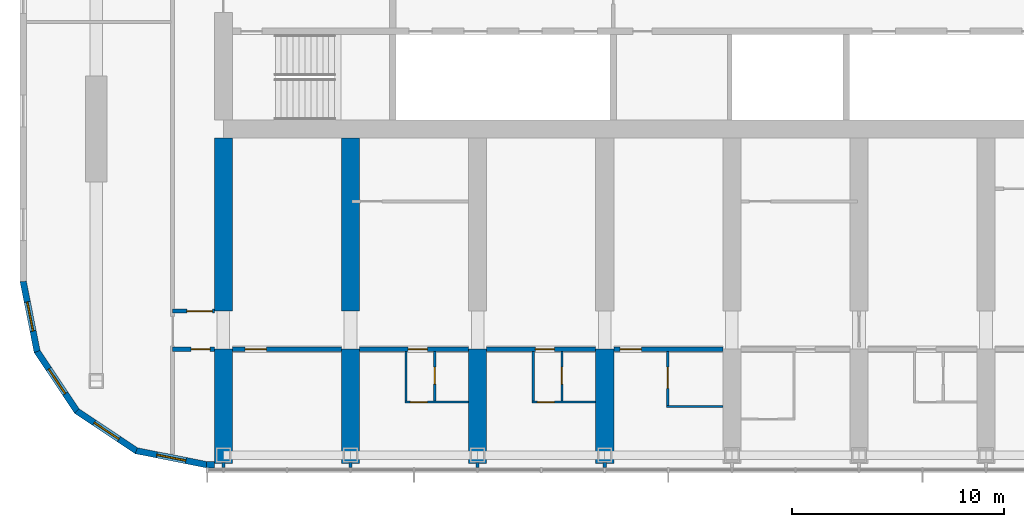
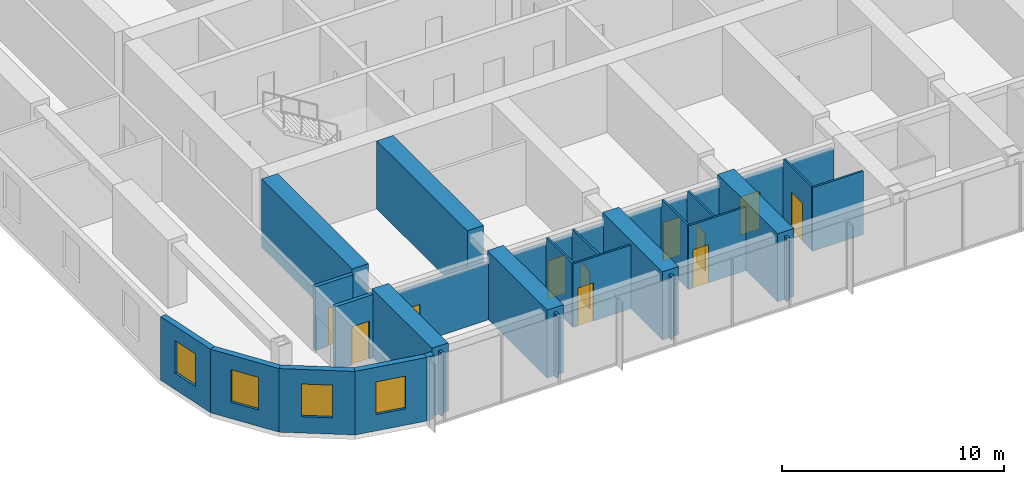
# One storey, part 10 of 22: 29 walls, 11 doors, 4 windows, 15 openings.
"""IFC4 building model written with IfcOpenShell, lengths in metres."""

from ifc_helpers import new_model, si_unit, direction, frame, frame_2d, origin, place, context, subcontext, project, spatial, polyline, rectangle, outline, extrude, material, layer, layer_set, type_object, element, fill, save


model = new_model("IFC4")

# Units and contexts
model_context = context("Model", 3, precision=1e-05, world=origin(), true_north=direction((0.0, 1.0)))
body_context = subcontext(model_context, "Body", "Model", "MODEL_VIEW")
ifc_project = project(units=[si_unit("LENGTHUNIT", "METRE"), si_unit("AREAUNIT", "SQUARE_METRE"), si_unit("VOLUMEUNIT", "CUBIC_METRE"), si_unit("PLANEANGLEUNIT", "RADIAN"), si_unit("MASSUNIT", "GRAM", prefix="KILO")], contexts=[model_context])

# Site, building, storey
site_placement = place(None, origin())
site = spatial("IfcSite", under=ifc_project, at=site_placement, CompositionType="ELEMENT")
building_placement = place(site_placement, origin())
building = spatial("IfcBuilding", under=site, at=building_placement, Name="Orbita Commons", CompositionType="ELEMENT")
storey_placement = place(building_placement, frame((0.0, 0.0, 186.10009765625)))
storey = spatial("IfcBuildingStorey", under=building, at=storey_placement, Name="L46", CompositionType="ELEMENT", Elevation=186.10009765625)

# Wall, opening, door
ifc_material_1 = material(Name="Concrete blockwork", Category="masonry")
ifc_layer_1 = layer(ifc_material_1, 0.199951171875)
ifc_layer_set_1 = layer_set([ifc_layer_1], Name="Concrete blockwork")
wall_type_1 = type_object("IfcWallType", Name="Corridor wall 200 blockwork", PredefinedType="SOLIDWALL", material=ifc_layer_set_1)
wall_1_placement = place(storey_placement, frame((15.60009765625, 15.39990234375, 0.0), z_axis=(0.0, 0.0, 1.0), x_axis=(1.0, 0.0, 0.0)))
wall_1 = element("IfcWall", 1, at=wall_1_placement, inside=storey, type_object=wall_type_1, Name="Corridor wall 200 blockwork L46", PredefinedType="SOLIDWALL", context=body_context, shape_type="SweptSolid", body=[
    extrude(rectangle(XDim=1.974853515625, YDim=0.199951171875, at=frame_2d((0.9873046875, 0.0))), origin(), (0.0, 0.0, 1.0), 3.5),
])
opening_1_placement = place(wall_1_placement, frame((0.875, 0.0, 0.0)))
opening_1 = element("IfcOpeningElement", 2, at=opening_1_placement, cuts=wall_1, Name="Opening D05", PredefinedType="OPENING", context=body_context, shape_type="SweptSolid", body=[
    extrude(rectangle(XDim=0.89990234375, YDim=2.10009765625, at=frame_2d((0.449951171875, 1.050048828125))), frame((0.0, 0.10986328125, 0.0), z_axis=(0.0, -1.0, 0.0), x_axis=(1.0, 0.0, 0.0)), (0.0, 0.0, 1.0), 0.219970703125),
])
ifc_material_2 = material(Name="Steel-faced fire door leaf", Category="steel")
door_type_1 = type_object("IfcDoorType", Name="Service door 20 min 900x2100", OperationType="SINGLE_SWING_LEFT", PredefinedType="DOOR", material=ifc_material_2)
door_1_placement = place(opening_1_placement, origin())
door_1 = element("IfcDoor", 3, at=door_1_placement, inside=storey, type_object=door_type_1, Name="Linen store L46-KWS door", OperationType="SINGLE_SWING_LEFT", OverallHeight=2.10009765625, OverallWidth=0.89990234375, PredefinedType="DOOR", context=body_context, shape_type="SweptSolid", body=[
    extrude(rectangle(XDim=0.89990234375, YDim=2.10009765625, at=frame_2d((0.449951171875, 1.050048828125))), frame((0.0, 0.02490234375, 0.0), z_axis=(0.0, -1.0, 0.0), x_axis=(1.0, 0.0, 0.0)), (0.0, 0.0, 1.0), 0.050048828125),
])
fill(opening_1, door_1)

wall_2_placement = place(storey_placement, frame((18.425048828125, 15.39990234375, 0.0), z_axis=(0.0, 0.0, 1.0), x_axis=(1.0, 0.0, 0.0)))
wall_2 = element("IfcWall", 4, at=wall_2_placement, inside=storey, type_object=wall_type_1, Name="Corridor wall 200 blockwork L46", PredefinedType="SOLIDWALL", context=body_context, shape_type="SweptSolid", body=[
    extrude(outline(polyline([(0.0, 0.0), (5.14990234375, 0.0), (5.14990234375, 3.099853515625), (0.0, 3.099853515625), (0.0, 0.0)])), frame((0.0, 0.10009765625, 0.0), z_axis=(0.0, -1.0, 0.0), x_axis=(1.0, 0.0, 0.0)), (0.0, 0.0, 1.0), 0.199951171875),
])
opening_2_placement = place(wall_2_placement, frame((0.60009765625, 0.0, 0.0)))
opening_2 = element("IfcOpeningElement", 5, at=opening_2_placement, cuts=wall_2, Name="Opening D06", PredefinedType="OPENING", context=body_context, shape_type="SweptSolid", body=[
    extrude(rectangle(XDim=1.0, YDim=2.10009765625, at=frame_2d((0.5, 1.050048828125))), frame((0.0, 0.10986328125, 0.0), z_axis=(0.0, -1.0, 0.0), x_axis=(1.0, 0.0, 0.0)), (0.0, 0.0, 1.0), 0.219970703125),
])
ifc_material_3 = material(Name="Steel-faced fire door leaf", Category="steel")
door_type_2 = type_object("IfcDoorType", Name="Corridor door 20 min 1000x2100", OperationType="SINGLE_SWING_LEFT", PredefinedType="DOOR", material=ifc_material_3)
door_2_placement = place(opening_2_placement, origin())
door_2 = element("IfcDoor", 6, at=door_2_placement, inside=storey, type_object=door_type_2, Name="Mountain-view lounge L46-S00 door", OperationType="SINGLE_SWING_LEFT", OverallHeight=2.10009765625, OverallWidth=1.0, PredefinedType="DOOR", context=body_context, shape_type="SweptSolid", body=[
    extrude(rectangle(XDim=1.0, YDim=2.10009765625, at=frame_2d((0.5, 1.050048828125))), frame((0.0, 0.02490234375, 0.0), z_axis=(0.0, -1.0, 0.0), x_axis=(1.0, 0.0, 0.0)), (0.0, 0.0, 1.0), 0.050048828125),
])
fill(opening_2, door_2)

wall_3_placement = place(storey_placement, frame((24.425048828125, 15.39990234375, 0.0), z_axis=(0.0, 0.0, 1.0), x_axis=(1.0, 0.0, 0.0)))
wall_3 = element("IfcWall", 7, at=wall_3_placement, inside=storey, type_object=wall_type_1, Name="Corridor wall 200 blockwork L46", PredefinedType="SOLIDWALL", context=body_context, shape_type="SweptSolid", body=[
    extrude(outline(polyline([(0.0, 0.0), (5.14990234375, 0.0), (5.14990234375, 3.099853515625), (0.0, 3.099853515625), (0.0, 0.0)])), frame((0.0, 0.10009765625, 0.0), z_axis=(0.0, -1.0, 0.0), x_axis=(1.0, 0.0, 0.0)), (0.0, 0.0, 1.0), 0.199951171875),
])
opening_3_placement = place(wall_3_placement, frame((2.300048828125, 0.0, 0.0)))
opening_3 = element("IfcOpeningElement", 8, at=opening_3_placement, cuts=wall_3, Name="Opening D11", PredefinedType="OPENING", context=body_context, shape_type="SweptSolid", body=[
    extrude(rectangle(XDim=0.89990234375, YDim=2.10009765625, at=frame_2d((0.449951171875, 1.050048828125))), frame((0.0, 0.10986328125, 0.0), z_axis=(0.0, -1.0, 0.0), x_axis=(1.0, 0.0, 0.0)), (0.0, 0.0, 1.0), 0.219970703125),
])
ifc_material_4 = material(Name="Steel-faced fire door leaf", Category="steel")
door_type_3 = type_object("IfcDoorType", Name="Corridor door 20 min 900x2100", OperationType="SINGLE_SWING_LEFT", PredefinedType="DOOR", material=ifc_material_4)
door_3_placement = place(opening_3_placement, origin())
door_3 = element("IfcDoor", 9, at=door_3_placement, inside=storey, type_object=door_type_3, Name="Studio flat L46-S02 entrance door", OperationType="SINGLE_SWING_LEFT", OverallHeight=2.10009765625, OverallWidth=0.89990234375, PredefinedType="DOOR", context=body_context, shape_type="SweptSolid", body=[
    extrude(rectangle(XDim=0.89990234375, YDim=2.10009765625, at=frame_2d((0.449951171875, 1.050048828125))), frame((0.0, 0.02490234375, 0.0), z_axis=(0.0, -1.0, 0.0), x_axis=(1.0, 0.0, 0.0)), (0.0, 0.0, 1.0), 0.050048828125),
])
fill(opening_3, door_3)

wall_4_placement = place(storey_placement, frame((30.425048828125, 15.39990234375, 0.0), z_axis=(0.0, 0.0, 1.0), x_axis=(1.0, 0.0, 0.0)))
wall_4 = element("IfcWall", 10, at=wall_4_placement, inside=storey, type_object=wall_type_1, Name="Corridor wall 200 blockwork L46", PredefinedType="SOLIDWALL", context=body_context, shape_type="SweptSolid", body=[
    extrude(outline(polyline([(0.0, 0.0), (5.14990234375, 0.0), (5.14990234375, 3.099853515625), (0.0, 3.099853515625), (0.0, 0.0)])), frame((0.0, 0.10009765625, 0.0), z_axis=(0.0, -1.0, 0.0), x_axis=(1.0, 0.0, 0.0)), (0.0, 0.0, 1.0), 0.199951171875),
])
opening_4_placement = place(wall_4_placement, frame((2.300048828125, 0.0, 0.0)))
opening_4 = element("IfcOpeningElement", 11, at=opening_4_placement, cuts=wall_4, Name="Opening D11", PredefinedType="OPENING", context=body_context, shape_type="SweptSolid", body=[
    extrude(rectangle(XDim=0.89990234375, YDim=2.10009765625, at=frame_2d((0.449951171875, 1.050048828125))), frame((0.0, 0.10986328125, 0.0), z_axis=(0.0, -1.0, 0.0), x_axis=(1.0, 0.0, 0.0)), (0.0, 0.0, 1.0), 0.219970703125),
])
door_4_placement = place(opening_4_placement, origin())
door_4 = element("IfcDoor", 12, at=door_4_placement, inside=storey, type_object=door_type_3, Name="Studio flat L46-S04 entrance door", OperationType="SINGLE_SWING_LEFT", OverallHeight=2.10009765625, OverallWidth=0.89990234375, PredefinedType="DOOR", context=body_context, shape_type="SweptSolid", body=[
    extrude(rectangle(XDim=0.89990234375, YDim=2.10009765625, at=frame_2d((0.449951171875, 1.050048828125))), frame((0.0, 0.02490234375, 0.0), z_axis=(0.0, -1.0, 0.0), x_axis=(1.0, 0.0, 0.0)), (0.0, 0.0, 1.0), 0.050048828125),
])
fill(opening_4, door_4)

wall_5_placement = place(storey_placement, frame((36.425048828125, 15.39990234375, 0.0), z_axis=(0.0, 0.0, 1.0), x_axis=(1.0, 0.0, 0.0)))
wall_5 = element("IfcWall", 13, at=wall_5_placement, inside=storey, type_object=wall_type_1, Name="Corridor wall 200 blockwork L46", PredefinedType="SOLIDWALL", context=body_context, shape_type="SweptSolid", body=[
    extrude(outline(polyline([(0.0, 0.0), (5.14990234375, 0.0), (5.14990234375, 3.099853515625), (0.0, 3.099853515625), (0.0, 0.0)])), frame((0.0, 0.10009765625, 0.0), z_axis=(0.0, -1.0, 0.0), x_axis=(1.0, 0.0, 0.0)), (0.0, 0.0, 1.0), 0.199951171875),
])
opening_5_placement = place(wall_5_placement, frame((0.300048828125, 0.0, 0.0)))
opening_5 = element("IfcOpeningElement", 14, at=opening_5_placement, cuts=wall_5, Name="Opening D06", PredefinedType="OPENING", context=body_context, shape_type="SweptSolid", body=[
    extrude(rectangle(XDim=1.0, YDim=2.10009765625, at=frame_2d((0.5, 1.050048828125))), frame((0.0, 0.10986328125, 0.0), z_axis=(0.0, -1.0, 0.0), x_axis=(1.0, 0.0, 0.0)), (0.0, 0.0, 1.0), 0.219970703125),
])
door_5_placement = place(opening_5_placement, origin())
door_5 = element("IfcDoor", 15, at=door_5_placement, inside=storey, type_object=door_type_2, Name="Accessible bedroom L46-S06 door", OperationType="SINGLE_SWING_LEFT", OverallHeight=2.10009765625, OverallWidth=1.0, PredefinedType="DOOR", context=body_context, shape_type="SweptSolid", body=[
    extrude(rectangle(XDim=1.0, YDim=2.10009765625, at=frame_2d((0.5, 1.050048828125))), frame((0.0, 0.02490234375, 0.0), z_axis=(0.0, -1.0, 0.0), x_axis=(1.0, 0.0, 0.0)), (0.0, 0.0, 1.0), 0.050048828125),
])
fill(opening_5, door_5)

ifc_material_5 = material(Name="Hollow concrete block 200", Category="concrete")
ifc_layer_2 = layer(ifc_material_5, 0.199951171875)
ifc_layer_set_2 = layer_set([ifc_layer_2], Name="Hollow concrete block 200")
wall_type_2 = type_object("IfcWallType", Name="Corridor wall 200 hollow concrete block", PredefinedType="SOLIDWALL", material=ifc_layer_set_2)
wall_6_placement = place(storey_placement, frame((15.60009765625, 17.199951171875, 0.0), z_axis=(0.0, 0.0, 1.0), x_axis=(1.0, 0.0, 0.0)))
wall_6 = element("IfcWall", 16, at=wall_6_placement, inside=storey, type_object=wall_type_2, Name="Corridor wall 200 hollow concrete block L46", PredefinedType="SOLIDWALL", context=body_context, shape_type="SweptSolid", body=[
    extrude(rectangle(XDim=1.974853515625, YDim=0.199951171875, at=frame_2d((0.9873046875, 0.0))), origin(), (0.0, 0.0, 1.0), 3.5),
])
opening_6_placement = place(wall_6_placement, frame((0.675048828125, 0.0, 0.0)))
opening_6 = element("IfcOpeningElement", 17, at=opening_6_placement, cuts=wall_6, Name="Opening D12", PredefinedType="OPENING", context=body_context, shape_type="SweptSolid", body=[
    extrude(rectangle(XDim=1.199951171875, YDim=2.10009765625, at=frame_2d((0.60009765625, 1.050048828125))), frame((0.0, 0.10986328125, 0.0), z_axis=(0.0, -1.0, 0.0), x_axis=(1.0, 0.0, 0.0)), (0.0, 0.0, 1.0), 0.219970703125),
])
ifc_material_6 = material(Name="Steel-faced fire door leaf", Category="steel")
door_type_4 = type_object("IfcDoorType", Name="Double corridor door 20 min 1200x2100", OperationType="DOUBLE_DOOR_SINGLE_SWING", PredefinedType="DOOR", material=ifc_material_6)
door_6_placement = place(opening_6_placement, origin())
door_6 = element("IfcDoor", 18, at=door_6_placement, inside=storey, type_object=door_type_4, Name="Cross corridor doors", OperationType="DOUBLE_DOOR_SINGLE_SWING", OverallHeight=2.10009765625, OverallWidth=1.199951171875, PredefinedType="DOOR", context=body_context, shape_type="SweptSolid", body=[
    extrude(rectangle(XDim=1.199951171875, YDim=2.10009765625, at=frame_2d((0.60009765625, 1.050048828125))), frame((0.0, 0.02490234375, 0.0), z_axis=(0.0, -1.0, 0.0), x_axis=(1.0, 0.0, 0.0)), (0.0, 0.0, 1.0), 0.050048828125),
])
fill(opening_6, door_6)

# Walls
ifc_material_7 = material(Name="Concrete C50/60", Category="concrete")
ifc_layer_3 = layer(ifc_material_7, 0.85009765625)
ifc_layer_set_3 = layer_set([ifc_layer_3], Name="Concrete C50/60")
wall_type_3 = type_object("IfcWallType", Name="Cross wall 850 C50/60", PredefinedType="SHEAR", material=ifc_layer_set_3)
wall_7_placement = place(storey_placement, frame((18.0, 10.0, 0.0), z_axis=(0.0, 0.0, 1.0), x_axis=(0.0, 1.0, 0.0)))
element("IfcWall", 19, at=wall_7_placement, inside=storey, type_object=wall_type_3, Name="Cross wall 4 south outer L46", PredefinedType="SHEAR", context=body_context, shape_type="SweptSolid", body=[
    extrude(rectangle(XDim=5.39990234375, YDim=0.85009765625, at=frame_2d((2.699951171875, 0.0))), origin(), (0.0, 0.0, 1.0), 3.75),
])
wall_8_placement = place(storey_placement, frame((18.0, 17.199951171875, 0.0), z_axis=(0.0, 0.0, 1.0), x_axis=(0.0, 1.0, 0.0)))
element("IfcWall", 20, at=wall_8_placement, inside=storey, type_object=wall_type_3, Name="Cross wall 4 south inner L46", PredefinedType="SHEAR", context=body_context, shape_type="SweptSolid", body=[
    extrude(rectangle(XDim=8.175048828125, YDim=0.85009765625, at=frame_2d((4.08740234375, 0.0))), origin(), (0.0, 0.0, 1.0), 3.75),
])
wall_9_placement = place(storey_placement, frame((24.0, 10.0, 0.0), z_axis=(0.0, 0.0, 1.0), x_axis=(0.0, 1.0, 0.0)))
element("IfcWall", 21, at=wall_9_placement, inside=storey, type_object=wall_type_3, Name="Cross wall 5 south outer L46", PredefinedType="SHEAR", context=body_context, shape_type="SweptSolid", body=[
    extrude(rectangle(XDim=5.39990234375, YDim=0.85009765625, at=frame_2d((2.699951171875, 0.0))), origin(), (0.0, 0.0, 1.0), 3.75),
])
wall_10_placement = place(storey_placement, frame((24.0, 17.199951171875, 0.0), z_axis=(0.0, 0.0, 1.0), x_axis=(0.0, 1.0, 0.0)))
element("IfcWall", 22, at=wall_10_placement, inside=storey, type_object=wall_type_3, Name="Cross wall 5 south inner L46", PredefinedType="SHEAR", context=body_context, shape_type="SweptSolid", body=[
    extrude(rectangle(XDim=8.175048828125, YDim=0.85009765625, at=frame_2d((4.08740234375, 0.0))), origin(), (0.0, 0.0, 1.0), 3.75),
])
for number, where, z_axis, x_axis, name in (
    (23, (30.0, 10.0, 0.0), (0.0, 0.0, 1.0), (0.0, 1.0, 0.0), "Cross wall 6 south outer L46"),
    (24, (36.0, 10.0, 0.0), (0.0, 0.0, 1.0), (0.0, 1.0, 0.0), "Cross wall 7 south outer L46"),
):
    element("IfcWall", number, at=place(storey_placement, frame(where, z_axis=z_axis, x_axis=x_axis)), inside=storey, type_object=wall_type_3, Name=name, PredefinedType="SHEAR", context=body_context, shape_type="SweptSolid", body=[
        extrude(rectangle(XDim=5.39990234375, YDim=0.85009765625, at=frame_2d((2.699951171875, 0.0))), origin(), (0.0, 0.0, 1.0), 3.75),
    ])

# Wall, opening, door
ifc_material_8 = material(Name="Moisture-resistant plasterboard on steel studs", Category="steel")
ifc_layer_4 = layer(ifc_material_8, 0.10009765625)
ifc_layer_set_4 = layer_set([ifc_layer_4], Name="Moisture-resistant plasterboard on steel studs")
wall_type_4 = type_object("IfcWallType", Name="En-suite partition 100", PredefinedType="PARTITIONING", material=ifc_layer_set_4)
wall_11_placement = place(storey_placement, frame((29.574951171875, 12.89990234375, 0.0), z_axis=(0.0, 0.0, 1.0), x_axis=(-1.0, 0.0, 0.0)))
wall_11 = element("IfcWall", 25, at=wall_11_placement, inside=storey, type_object=wall_type_4, Name="En-suite partition 100 L46", PredefinedType="PARTITIONING", context=body_context, shape_type="SweptSolid", body=[
    extrude(rectangle(XDim=3.0, YDim=0.10009765625, at=frame_2d((1.5, 0.0))), origin(), (0.0, 0.0, 1.0), 3.5),
])
opening_7_placement = place(wall_11_placement, frame((1.949951171875, 0.0, 0.0)))
opening_7 = element("IfcOpeningElement", 26, at=opening_7_placement, cuts=wall_11, Name="Opening D16", PredefinedType="OPENING", context=body_context, shape_type="SweptSolid", body=[
    extrude(rectangle(XDim=0.800048828125, YDim=2.10009765625, at=frame_2d((0.39990234375, 1.050048828125))), frame((0.0, 0.06005859375, 0.0), z_axis=(0.0, -1.0, 0.0), x_axis=(1.0, 0.0, 0.0)), (0.0, 0.0, 1.0), 0.1201171875),
])
ifc_material_9 = material(Name="Laminated timber door leaf", Category="wood")
door_type_5 = type_object("IfcDoorType", Name="En-suite door 800x2100", OperationType="SINGLE_SWING_RIGHT", PredefinedType="DOOR", material=ifc_material_9)
door_7_placement = place(opening_7_placement, origin())
door_7 = element("IfcDoor", 27, at=door_7_placement, inside=storey, type_object=door_type_5, Name="Studio flat L46-S02 door", OperationType="SINGLE_SWING_RIGHT", OverallHeight=2.10009765625, OverallWidth=0.800048828125, PredefinedType="DOOR", context=body_context, shape_type="SweptSolid", body=[
    extrude(rectangle(XDim=0.800048828125, YDim=2.10009765625, at=frame_2d((0.39990234375, 1.050048828125))), frame((0.0, 0.02490234375, 0.0), z_axis=(0.0, -1.0, 0.0), x_axis=(1.0, 0.0, 0.0)), (0.0, 0.0, 1.0), 0.050048828125),
])
fill(opening_7, door_7)

# Wall
wall_12_placement = place(storey_placement, frame((26.625, 12.949951171875, 0.0), z_axis=(0.0, 0.0, 1.0), x_axis=(0.0, 1.0, 0.0)))
element("IfcWall", 28, at=wall_12_placement, inside=storey, type_object=wall_type_4, Name="En-suite partition 100 L46", PredefinedType="PARTITIONING", context=body_context, shape_type="SweptSolid", body=[
    extrude(outline(polyline([(0.0, 0.0), (2.35009765625, 0.0), (2.35009765625, 3.099853515625), (2.302001953125, 3.099853515625), (2.300048828125, 3.5), (0.0, 3.5), (0.0, 0.0)])), frame((0.0, 0.050048828125, 0.0), z_axis=(0.0, -1.0, 0.0), x_axis=(1.0, 0.0, 0.0)), (0.0, 0.0, 1.0), 0.10009765625),
])

# Wall, opening, door
wall_13_placement = place(storey_placement, frame((27.97509765625, 12.949951171875, 0.0), z_axis=(0.0, 0.0, 1.0), x_axis=(0.0, 1.0, 0.0)))
wall_13 = element("IfcWall", 29, at=wall_13_placement, inside=storey, type_object=wall_type_4, Name="En-suite partition 100 L46", PredefinedType="PARTITIONING", context=body_context, shape_type="SweptSolid", body=[
    extrude(outline(polyline([(0.0, 0.0), (2.35009765625, 0.0), (2.35009765625, 3.099853515625), (2.302001953125, 3.099853515625), (2.300048828125, 3.5), (0.0, 3.5), (0.0, 0.0)])), frame((0.0, 0.050048828125, 0.0), z_axis=(0.0, -1.0, 0.0), x_axis=(1.0, 0.0, 0.0)), (0.0, 0.0, 1.0), 0.10009765625),
])
opening_8_placement = place(wall_13_placement, frame((0.800048828125, 0.0, 0.0)))
opening_8 = element("IfcOpeningElement", 30, at=opening_8_placement, cuts=wall_13, Name="Opening D16", PredefinedType="OPENING", context=body_context, shape_type="SweptSolid", body=[
    extrude(rectangle(XDim=0.800048828125, YDim=2.10009765625, at=frame_2d((0.39990234375, 1.050048828125))), frame((0.0, 0.06005859375, 0.0), z_axis=(0.0, -1.0, 0.0), x_axis=(1.0, 0.0, 0.0)), (0.0, 0.0, 1.0), 0.1201171875),
])
door_8_placement = place(opening_8_placement, origin())
door_8 = element("IfcDoor", 31, at=door_8_placement, inside=storey, type_object=door_type_5, Name="Studio flat shower room L46-S02 door", OperationType="SINGLE_SWING_RIGHT", OverallHeight=2.10009765625, OverallWidth=0.800048828125, PredefinedType="DOOR", context=body_context, shape_type="SweptSolid", body=[
    extrude(rectangle(XDim=0.800048828125, YDim=2.10009765625, at=frame_2d((0.39990234375, 1.050048828125))), frame((0.0, 0.02490234375, 0.0), z_axis=(0.0, -1.0, 0.0), x_axis=(1.0, 0.0, 0.0)), (0.0, 0.0, 1.0), 0.050048828125),
])
fill(opening_8, door_8)

wall_14_placement = place(storey_placement, frame((35.574951171875, 12.89990234375, 0.0), z_axis=(0.0, 0.0, 1.0), x_axis=(-1.0, 0.0, 0.0)))
wall_14 = element("IfcWall", 32, at=wall_14_placement, inside=storey, type_object=wall_type_4, Name="En-suite partition 100 L46", PredefinedType="PARTITIONING", context=body_context, shape_type="SweptSolid", body=[
    extrude(rectangle(XDim=3.0, YDim=0.10009765625, at=frame_2d((1.5, 0.0))), origin(), (0.0, 0.0, 1.0), 3.5),
])
opening_9_placement = place(wall_14_placement, frame((1.949951171875, 0.0, 0.0)))
opening_9 = element("IfcOpeningElement", 33, at=opening_9_placement, cuts=wall_14, Name="Opening D16", PredefinedType="OPENING", context=body_context, shape_type="SweptSolid", body=[
    extrude(rectangle(XDim=0.800048828125, YDim=2.10009765625, at=frame_2d((0.39990234375, 1.050048828125))), frame((0.0, 0.06005859375, 0.0), z_axis=(0.0, -1.0, 0.0), x_axis=(1.0, 0.0, 0.0)), (0.0, 0.0, 1.0), 0.1201171875),
])
door_9_placement = place(opening_9_placement, origin())
door_9 = element("IfcDoor", 34, at=door_9_placement, inside=storey, type_object=door_type_5, Name="Studio flat L46-S04 door", OperationType="SINGLE_SWING_RIGHT", OverallHeight=2.10009765625, OverallWidth=0.800048828125, PredefinedType="DOOR", context=body_context, shape_type="SweptSolid", body=[
    extrude(rectangle(XDim=0.800048828125, YDim=2.10009765625, at=frame_2d((0.39990234375, 1.050048828125))), frame((0.0, 0.02490234375, 0.0), z_axis=(0.0, -1.0, 0.0), x_axis=(1.0, 0.0, 0.0)), (0.0, 0.0, 1.0), 0.050048828125),
])
fill(opening_9, door_9)

# Wall
wall_15_placement = place(storey_placement, frame((32.625, 12.949951171875, 0.0), z_axis=(0.0, 0.0, 1.0), x_axis=(0.0, 1.0, 0.0)))
element("IfcWall", 35, at=wall_15_placement, inside=storey, type_object=wall_type_4, Name="En-suite partition 100 L46", PredefinedType="PARTITIONING", context=body_context, shape_type="SweptSolid", body=[
    extrude(outline(polyline([(0.0, 0.0), (2.35009765625, 0.0), (2.35009765625, 3.099853515625), (2.302001953125, 3.099853515625), (2.300048828125, 3.5), (0.0, 3.5), (0.0, 0.0)])), frame((0.0, 0.050048828125, 0.0), z_axis=(0.0, -1.0, 0.0), x_axis=(1.0, 0.0, 0.0)), (0.0, 0.0, 1.0), 0.10009765625),
])

# Wall, opening, door
wall_16_placement = place(storey_placement, frame((33.97509765625, 12.949951171875, 0.0), z_axis=(0.0, 0.0, 1.0), x_axis=(0.0, 1.0, 0.0)))
wall_16 = element("IfcWall", 36, at=wall_16_placement, inside=storey, type_object=wall_type_4, Name="En-suite partition 100 L46", PredefinedType="PARTITIONING", context=body_context, shape_type="SweptSolid", body=[
    extrude(outline(polyline([(0.0, 0.0), (2.35009765625, 0.0), (2.35009765625, 3.099853515625), (2.302001953125, 3.099853515625), (2.300048828125, 3.5), (0.0, 3.5), (0.0, 0.0)])), frame((0.0, 0.050048828125, 0.0), z_axis=(0.0, -1.0, 0.0), x_axis=(1.0, 0.0, 0.0)), (0.0, 0.0, 1.0), 0.10009765625),
])
opening_10_placement = place(wall_16_placement, frame((0.800048828125, 0.0, 0.0)))
opening_10 = element("IfcOpeningElement", 37, at=opening_10_placement, cuts=wall_16, Name="Opening D16", PredefinedType="OPENING", context=body_context, shape_type="SweptSolid", body=[
    extrude(rectangle(XDim=0.800048828125, YDim=2.10009765625, at=frame_2d((0.39990234375, 1.050048828125))), frame((0.0, 0.06005859375, 0.0), z_axis=(0.0, -1.0, 0.0), x_axis=(1.0, 0.0, 0.0)), (0.0, 0.0, 1.0), 0.1201171875),
])
door_10_placement = place(opening_10_placement, origin())
door_10 = element("IfcDoor", 38, at=door_10_placement, inside=storey, type_object=door_type_5, Name="Studio flat shower room L46-S04 door", OperationType="SINGLE_SWING_RIGHT", OverallHeight=2.10009765625, OverallWidth=0.800048828125, PredefinedType="DOOR", context=body_context, shape_type="SweptSolid", body=[
    extrude(rectangle(XDim=0.800048828125, YDim=2.10009765625, at=frame_2d((0.39990234375, 1.050048828125))), frame((0.0, 0.02490234375, 0.0), z_axis=(0.0, -1.0, 0.0), x_axis=(1.0, 0.0, 0.0)), (0.0, 0.0, 1.0), 0.050048828125),
])
fill(opening_10, door_10)

# Wall
wall_17_placement = place(storey_placement, frame((38.925048828125, 12.699951171875, 0.0), z_axis=(0.0, 0.0, 1.0), x_axis=(1.0, 0.0, 0.0)))
element("IfcWall", 39, at=wall_17_placement, inside=storey, type_object=wall_type_4, Name="En-suite partition 100 L46", PredefinedType="PARTITIONING", context=body_context, shape_type="SweptSolid", body=[
    extrude(rectangle(XDim=2.64990234375, YDim=0.10009765625, at=frame_2d((1.324951171875, 0.0))), origin(), (0.0, 0.0, 1.0), 3.5),
])

# Wall, opening, door
wall_18_placement = place(storey_placement, frame((38.97509765625, 12.75, 0.0), z_axis=(0.0, 0.0, 1.0), x_axis=(0.0, 1.0, 0.0)))
wall_18 = element("IfcWall", 40, at=wall_18_placement, inside=storey, type_object=wall_type_4, Name="En-suite partition 100 L46", PredefinedType="PARTITIONING", context=body_context, shape_type="SweptSolid", body=[
    extrude(outline(polyline([(0.0, 0.0), (2.550048828125, 0.0), (2.550048828125, 3.099853515625), (2.501953125, 3.099853515625), (2.5, 3.5), (0.0, 3.5), (0.0, 0.0)])), frame((0.0, 0.050048828125, 0.0), z_axis=(0.0, -1.0, 0.0), x_axis=(1.0, 0.0, 0.0)), (0.0, 0.0, 1.0), 0.10009765625),
])
opening_11_placement = place(wall_18_placement, frame((0.800048828125, 0.0, 0.0)))
opening_11 = element("IfcOpeningElement", 41, at=opening_11_placement, cuts=wall_18, Name="Opening D13", PredefinedType="OPENING", context=body_context, shape_type="SweptSolid", body=[
    extrude(rectangle(XDim=1.0, YDim=2.10009765625, at=frame_2d((0.5, 1.050048828125))), frame((0.0, 0.06005859375, 0.0), z_axis=(0.0, -1.0, 0.0), x_axis=(1.0, 0.0, 0.0)), (0.0, 0.0, 1.0), 0.1201171875),
])
ifc_material_10 = material(Name="Laminated timber door leaf", Category="wood")
door_type_6 = type_object("IfcDoorType", Name="En-suite door 1000x2100", OperationType="SINGLE_SWING_RIGHT", PredefinedType="DOOR", material=ifc_material_10)
door_11_placement = place(opening_11_placement, origin())
door_11 = element("IfcDoor", 42, at=door_11_placement, inside=storey, type_object=door_type_6, Name="Accessible shower room L46-S06 door", OperationType="SINGLE_SWING_RIGHT", OverallHeight=2.10009765625, OverallWidth=1.0, PredefinedType="DOOR", context=body_context, shape_type="SweptSolid", body=[
    extrude(rectangle(XDim=1.0, YDim=2.10009765625, at=frame_2d((0.5, 1.050048828125))), frame((0.0, 0.02490234375, 0.0), z_axis=(0.0, -1.0, 0.0), x_axis=(1.0, 0.0, 0.0)), (0.0, 0.0, 1.0), 0.050048828125),
])
fill(opening_11, door_11)

# Walls
ifc_material_11 = material(Name="Gypsum plasterboard on steel studs", Category="steel")
ifc_layer_5 = layer(ifc_material_11, 0.14990234375)
ifc_layer_set_5 = layer_set([ifc_layer_5], Name="Gypsum plasterboard on steel studs")
wall_type_5 = type_object("IfcWallType", Name="Partition 150 plasterboard", PredefinedType="PARTITIONING", material=ifc_layer_set_5)
for number, where, z_axis, x_axis, name in (
    (43, (18.0, 10.050048828125, 0.0), (0.0, 0.0, 1.0), (0.0, -1.0, 0.0), "Partition 150 plasterboard L46"),
    (44, (24.0, 10.050048828125, 0.0), (0.0, 0.0, 1.0), (0.0, -1.0, 0.0), "Partition 150 plasterboard L46"),
    (45, (30.0, 10.050048828125, 0.0), (0.0, 0.0, 1.0), (0.0, -1.0, 0.0), "Partition 150 plasterboard L46"),
    (46, (36.0, 10.050048828125, 0.0), (0.0, 0.0, 1.0), (0.0, -1.0, 0.0), "Partition 150 plasterboard L46"),
):
    element("IfcWall", number, at=place(storey_placement, frame(where, z_axis=z_axis, x_axis=x_axis)), inside=storey, type_object=wall_type_5, Name=name, PredefinedType="PARTITIONING", context=body_context, shape_type="SweptSolid", body=[
        extrude(rectangle(XDim=0.239990234375, YDim=0.14990234375, at=frame_2d((0.1201171875, 0.0))), origin(), (0.0, 0.0, 1.0), 3.5),
    ])

# Wall, opening, window
ifc_material_12 = material(Name="Precast concrete C40/50, white board-marked finish", Category="concrete")
ifc_layer_6 = layer(ifc_material_12, 0.300048828125)
ifc_layer_set_6 = layer_set([ifc_layer_6], Name="Precast concrete C40/50, white board-marked finish")
wall_type_6 = type_object("IfcWallType", Name="Precast concrete end shield 300", PredefinedType="SOLIDWALL", material=ifc_layer_set_6)
wall_19_placement = place(storey_placement, frame((8.550048828125, 18.60009765625, 0.0), z_axis=(0.0, 0.0, 1.0), x_axis=(0.19508664885, -0.980786011034, 0.0)))
wall_19 = element("IfcWall", 47, at=wall_19_placement, inside=storey, type_object=wall_type_6, Name="End shield SW chord 1 L46", PredefinedType="SOLIDWALL", context=body_context, shape_type="SweptSolid", body=[
    extrude(outline(polyline([(-0.014892578125, -0.14990234375), (3.405029296875, -0.14990234375), (3.345458984375, 0.14990234375), (0.014892578125, 0.14990234375), (-0.014892578125, -0.14990234375)])), origin(), (0.0, 0.0, 1.0), 3.5),
])
opening_12_placement = place(wall_19_placement, frame((0.987548828125, 0.0, 0.89990234375)))
opening_12 = element("IfcOpeningElement", 48, at=opening_12_placement, cuts=wall_19, Name="Opening W02", PredefinedType="OPENING", context=body_context, shape_type="SweptSolid", body=[
    extrude(rectangle(XDim=1.39990234375, YDim=1.800048828125, at=frame_2d((0.699951171875, 0.89990234375))), frame((0.0, 0.159912109375, 0.0), z_axis=(0.0, -1.0, 0.0), x_axis=(1.0, 0.0, 0.0)), (0.0, 0.0, 1.0), 0.320068359375),
])
ifc_material_13 = material(Name="Aluminium frame, clear double glazing", Category="aluminium")
window_type = type_object("IfcWindowType", Name="Deep-set window 1400x1800", PartitioningType="SINGLE_PANEL", PredefinedType="WINDOW", material=ifc_material_13)
window_1_placement = place(opening_12_placement, origin())
window_1 = element("IfcWindow", 49, at=window_1_placement, inside=storey, type_object=window_type, Name="Window L46-SW0", OverallHeight=1.800048828125, OverallWidth=1.39990234375, PartitioningType="SINGLE_PANEL", PredefinedType="WINDOW", context=body_context, shape_type="SweptSolid", body=[
    extrude(rectangle(XDim=1.39990234375, YDim=1.800048828125, at=frame_2d((0.699951171875, 0.89990234375))), frame((0.0, 0.030029296875, 0.0), z_axis=(0.0, -1.0, 0.0), x_axis=(1.0, 0.0, 0.0)), (0.0, 0.0, 1.0), 0.06005859375),
])
fill(opening_12, window_1)

wall_20_placement = place(storey_placement, frame((9.20849609375, 15.289794921875, 0.0), z_axis=(0.0, 0.0, 1.0), x_axis=(0.555534554399, -0.831493450887, 0.0)))
wall_20 = element("IfcWall", 50, at=wall_20_placement, inside=storey, type_object=wall_type_6, Name="End shield SW chord 2 L46", PredefinedType="SOLIDWALL", context=body_context, shape_type="SweptSolid", body=[
    extrude(outline(polyline([(-0.02978515625, -0.14990234375), (3.405029296875, -0.14990234375), (3.345458984375, 0.14990234375), (0.02978515625, 0.14990234375), (-0.02978515625, -0.14990234375)])), origin(), (0.0, 0.0, 1.0), 3.5),
])
opening_13_placement = place(wall_20_placement, frame((0.987548828125, 0.0, 0.89990234375)))
opening_13 = element("IfcOpeningElement", 51, at=opening_13_placement, cuts=wall_20, Name="Opening W02", PredefinedType="OPENING", context=body_context, shape_type="SweptSolid", body=[
    extrude(rectangle(XDim=1.39990234375, YDim=1.800048828125, at=frame_2d((0.699951171875, 0.89990234375))), frame((0.0, 0.159912109375, 0.0), z_axis=(0.0, -1.0, 0.0), x_axis=(1.0, 0.0, 0.0)), (0.0, 0.0, 1.0), 0.320068359375),
])
window_2_placement = place(opening_13_placement, origin())
window_2 = element("IfcWindow", 52, at=window_2_placement, inside=storey, type_object=window_type, Name="Window L46-SW1", OverallHeight=1.800048828125, OverallWidth=1.39990234375, PartitioningType="SINGLE_PANEL", PredefinedType="WINDOW", context=body_context, shape_type="SweptSolid", body=[
    extrude(rectangle(XDim=1.39990234375, YDim=1.800048828125, at=frame_2d((0.699951171875, 0.89990234375))), frame((0.0, 0.030029296875, 0.0), z_axis=(0.0, -1.0, 0.0), x_axis=(1.0, 0.0, 0.0)), (0.0, 0.0, 1.0), 0.06005859375),
])
fill(opening_13, window_2)

wall_21_placement = place(storey_placement, frame((11.08349609375, 12.4833984375, 0.0), z_axis=(0.0, 0.0, 1.0), x_axis=(0.831493450887, -0.555534554399, 0.0)))
wall_21 = element("IfcWall", 53, at=wall_21_placement, inside=storey, type_object=wall_type_6, Name="End shield SW chord 3 L46", PredefinedType="SOLIDWALL", context=body_context, shape_type="SweptSolid", body=[
    extrude(outline(polyline([(-0.02978515625, -0.14990234375), (3.405029296875, -0.14990234375), (3.345458984375, 0.14990234375), (0.02978515625, 0.14990234375), (-0.02978515625, -0.14990234375)])), origin(), (0.0, 0.0, 1.0), 3.5),
])
opening_14_placement = place(wall_21_placement, frame((0.987548828125, 0.0, 0.89990234375)))
opening_14 = element("IfcOpeningElement", 54, at=opening_14_placement, cuts=wall_21, Name="Opening W02", PredefinedType="OPENING", context=body_context, shape_type="SweptSolid", body=[
    extrude(rectangle(XDim=1.39990234375, YDim=1.800048828125, at=frame_2d((0.699951171875, 0.89990234375))), frame((0.0, 0.159912109375, 0.0), z_axis=(0.0, -1.0, 0.0), x_axis=(1.0, 0.0, 0.0)), (0.0, 0.0, 1.0), 0.320068359375),
])
window_3_placement = place(opening_14_placement, origin())
window_3 = element("IfcWindow", 55, at=window_3_placement, inside=storey, type_object=window_type, Name="Window L46-SW2", OverallHeight=1.800048828125, OverallWidth=1.39990234375, PartitioningType="SINGLE_PANEL", PredefinedType="WINDOW", context=body_context, shape_type="SweptSolid", body=[
    extrude(rectangle(XDim=1.39990234375, YDim=1.800048828125, at=frame_2d((0.699951171875, 0.89990234375))), frame((0.0, 0.030029296875, 0.0), z_axis=(0.0, -1.0, 0.0), x_axis=(1.0, 0.0, 0.0)), (0.0, 0.0, 1.0), 0.06005859375),
])
fill(opening_14, window_3)

wall_22_placement = place(storey_placement, frame((13.889892578125, 10.6083984375, 0.0), z_axis=(0.0, 0.0, 1.0), x_axis=(0.98078325777, -0.195100490205, 0.0)))
wall_22 = element("IfcWall", 56, at=wall_22_placement, inside=storey, type_object=wall_type_6, Name="End shield SW chord 4 L46", PredefinedType="SOLIDWALL", context=body_context, shape_type="SweptSolid", body=[
    extrude(outline(polyline([(-0.02978515625, -0.14990234375), (3.40478515625, -0.14990234375), (3.34521484375, 0.14990234375), (0.02978515625, 0.14990234375), (-0.02978515625, -0.14990234375)])), origin(), (0.0, 0.0, 1.0), 3.5),
])
opening_15_placement = place(wall_22_placement, frame((0.987548828125, 0.0, 0.89990234375)))
opening_15 = element("IfcOpeningElement", 57, at=opening_15_placement, cuts=wall_22, Name="Opening W02", PredefinedType="OPENING", context=body_context, shape_type="SweptSolid", body=[
    extrude(rectangle(XDim=1.39990234375, YDim=1.800048828125, at=frame_2d((0.699951171875, 0.89990234375))), frame((0.0, 0.159912109375, 0.0), z_axis=(0.0, -1.0, 0.0), x_axis=(1.0, 0.0, 0.0)), (0.0, 0.0, 1.0), 0.320068359375),
])
window_4_placement = place(opening_15_placement, origin())
window_4 = element("IfcWindow", 58, at=window_4_placement, inside=storey, type_object=window_type, Name="Window L46-SW3", OverallHeight=1.800048828125, OverallWidth=1.39990234375, PartitioningType="SINGLE_PANEL", PredefinedType="WINDOW", context=body_context, shape_type="SweptSolid", body=[
    extrude(rectangle(XDim=1.39990234375, YDim=1.800048828125, at=frame_2d((0.699951171875, 0.89990234375))), frame((0.0, 0.030029296875, 0.0), z_axis=(0.0, -1.0, 0.0), x_axis=(1.0, 0.0, 0.0)), (0.0, 0.0, 1.0), 0.06005859375),
])
fill(opening_15, window_4)

# Wall
wall_23_placement = place(storey_placement, frame((17.199951171875, 9.949951171875, 0.0), z_axis=(0.0, 0.0, 1.0), x_axis=(1.0, 0.0, 0.0)))
element("IfcWall", 59, at=wall_23_placement, inside=storey, type_object=wall_type_6, Name="End shield SW closer L46", PredefinedType="SOLIDWALL", context=body_context, shape_type="SweptSolid", body=[
    extrude(rectangle(XDim=0.375, YDim=0.300048828125, at=frame_2d((0.1875, 0.0))), origin(), (0.0, 0.0, 1.0), 3.5),
])

save(model, "model.ifc")
